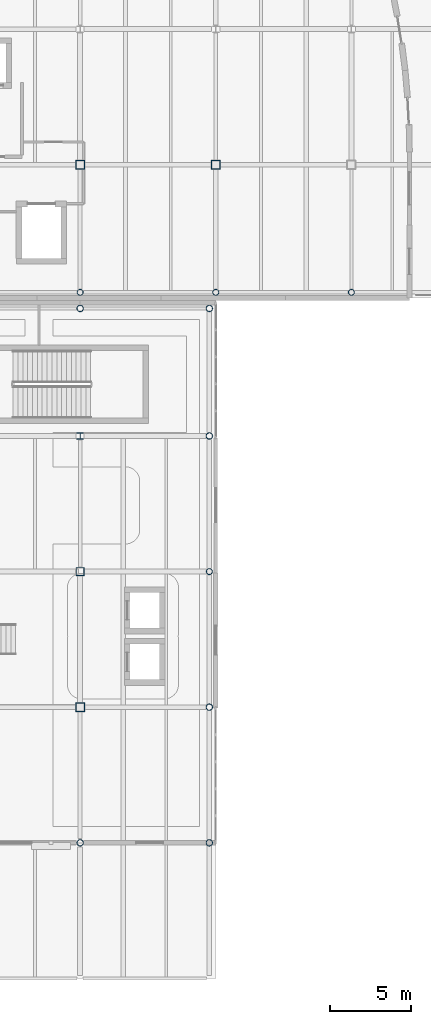
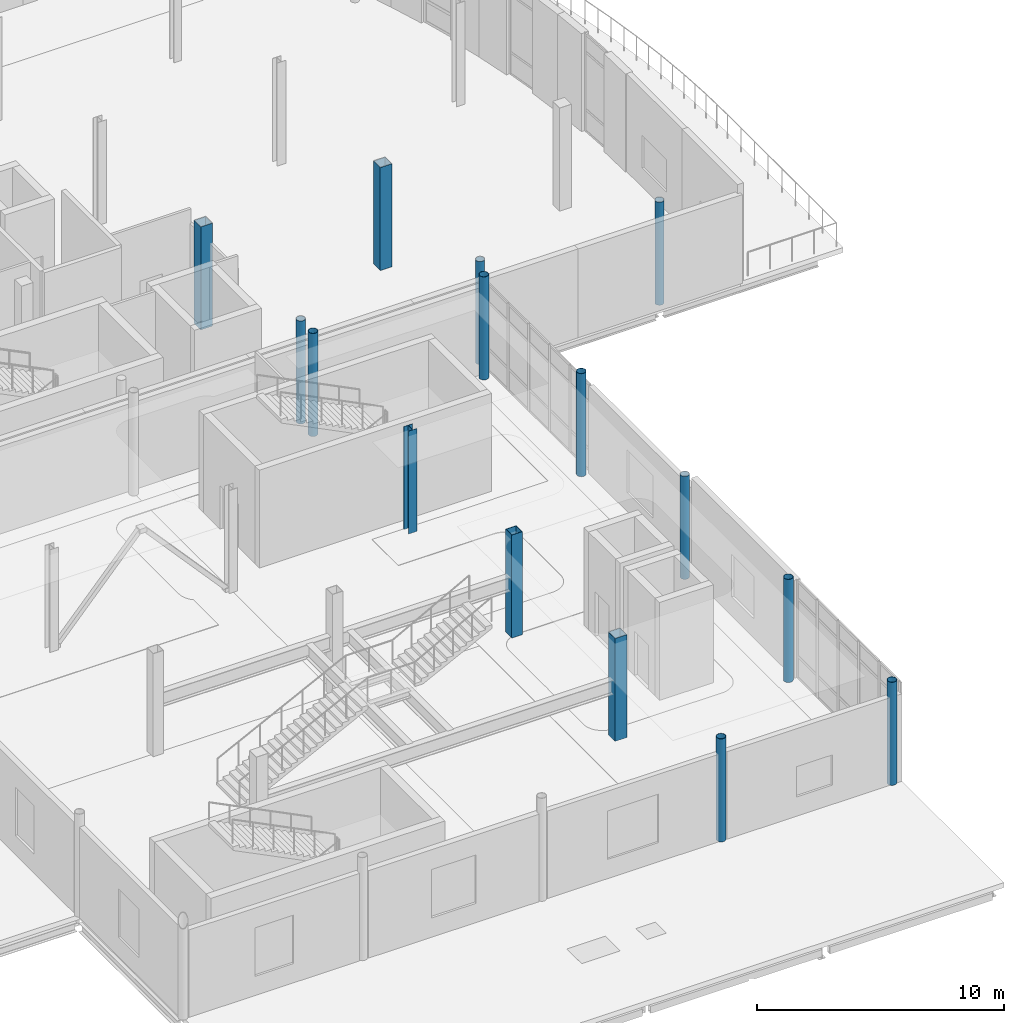
# One storey, part 10 of 103: 15 columns.
"""IFC4 building model written with IfcOpenShell, lengths in metres."""

from ifc_helpers import new_model, si_unit, direction, frame, origin, origin_2d, place, context, subcontext, project, spatial, hollow_rectangle, hollow_circle, i_section, extrude, material, material_profile, profile_set, type_object, element, save


model = new_model("IFC4")

# Units and contexts
model_context = context("Model", 3, precision=1e-05, world=origin(), true_north=direction((0.0, 1.0)))
body_context = subcontext(model_context, "Body", "Model", "MODEL_VIEW")
ifc_project = project(units=[si_unit("LENGTHUNIT", "METRE"), si_unit("AREAUNIT", "SQUARE_METRE"), si_unit("VOLUMEUNIT", "CUBIC_METRE"), si_unit("PLANEANGLEUNIT", "RADIAN"), si_unit("MASSUNIT", "GRAM", prefix="KILO"), si_unit("THERMODYNAMICTEMPERATUREUNIT", "KELVIN")], contexts=[model_context])

# Site, building, storey
site_placement = place(None, origin())
site = spatial("IfcSite", under=ifc_project, at=site_placement, CompositionType="ELEMENT")
building_placement = place(site_placement, origin())
building = spatial("IfcBuilding", under=site, at=building_placement, Name="Lustrewick Department Store", CompositionType="ELEMENT")
storey_placement = place(building_placement, frame((0.0, 0.0, 16.5)))
storey = spatial("IfcBuildingStorey", under=building, at=storey_placement, Name="L04", CompositionType="ELEMENT", Elevation=16.5)

# Columns
ifc_material_1 = material(Name="Structural steel Q355C", Category="steel")
ifc_material_profile_1 = material_profile(ifc_material_1, hollow_rectangle(XDim=0.550048828125, YDim=0.550048828125, WallThickness=0.02197265625, at=origin_2d()), Name="BOX 550x550x22")
ifc_profile_set_1 = profile_set([ifc_material_profile_1], Name="Structural steel Q355C")
column_type_1 = type_object("IfcColumnType", Name="C05", PredefinedType="COLUMN", material=ifc_profile_set_1)
for number, where, z_axis, x_axis, name in (
    (1, (142.800048828125, 25.199951171875, 0.0), (0.0, 0.0, 1.0), (1.0, 0.0, 0.0), "L04 V3 Column C05"),
    (2, (142.800048828125, 58.800048828125, 0.0), (0.0, 0.0, 1.0), (1.0, 0.0, 0.0), "L04 V4 Column C05"),
    (3, (151.199951171875, 58.800048828125, 0.0), (0.0, 0.0, 1.0), (1.0, 0.0, 0.0), "L04 V4 Column C05"),
):
    element("IfcColumn", number, at=place(storey_placement, frame(where, z_axis=z_axis, x_axis=x_axis)), inside=storey, type_object=column_type_1, Name=name, PredefinedType="COLUMN", context=body_context, shape_type="SweptSolid", body=[
        extrude(hollow_rectangle(XDim=0.550048828125, YDim=0.550048828125, WallThickness=0.02197265625, at=origin_2d()), origin(), (0.0, 0.0, 1.0), 5.10009765625),
    ])
ifc_material_2 = material(Name="Structural steel Q355B", Category="steel")
ifc_material_profile_2 = material_profile(ifc_material_2, hollow_rectangle(XDim=0.5, YDim=0.5, WallThickness=0.02001953125, at=origin_2d()), Name="BOX 500x500x20")
ifc_profile_set_2 = profile_set([ifc_material_profile_2], Name="Structural steel Q355B")
column_type_2 = type_object("IfcColumnType", Name="C06", PredefinedType="COLUMN", material=ifc_profile_set_2)
column_1_placement = place(storey_placement, frame((142.800048828125, 33.60009765625, 0.0), z_axis=(0.0, 0.0, 1.0), x_axis=(1.0, 0.0, 0.0)))
element("IfcColumn", 4, at=column_1_placement, inside=storey, type_object=column_type_2, Name="L04 V3 Column C06", PredefinedType="COLUMN", context=body_context, shape_type="SweptSolid", body=[
    extrude(hollow_rectangle(XDim=0.5, YDim=0.5, WallThickness=0.02001953125, at=origin_2d()), origin(), (0.0, 0.0, 1.0), 5.10009765625),
])
ifc_material_profile_3 = material_profile(ifc_material_2, i_section(OverallWidth=0.402099609375, OverallDepth=0.387939453125, WebThickness=0.014892578125, FlangeThickness=0.014892578125, FilletRadius=0.02197265625, at=origin_2d()), Name="HW 388x402x15x15")
ifc_profile_set_3 = profile_set([ifc_material_profile_3], Name="Structural steel Q355B")
column_type_3 = type_object("IfcColumnType", Name="C12", PredefinedType="COLUMN", material=ifc_profile_set_3)
column_2_placement = place(storey_placement, frame((142.800048828125, 42.0, 0.0), z_axis=(0.0, 0.0, 1.0), x_axis=(1.0, 0.0, 0.0)))
element("IfcColumn", 5, at=column_2_placement, inside=storey, type_object=column_type_3, Name="L04 V3 Column C12", PredefinedType="COLUMN", context=body_context, shape_type="SweptSolid", body=[
    extrude(i_section(OverallWidth=0.402099609375, OverallDepth=0.387939453125, WebThickness=0.014892578125, FlangeThickness=0.014892578125, FilletRadius=0.02197265625, at=origin_2d()), origin(), (0.0, 0.0, 1.0), 5.10009765625),
])
ifc_material_profile_4 = material_profile(ifc_material_1, hollow_circle(Radius=0.202880859375, WallThickness=0.01611328125, at=origin_2d()), Name="CHS 406x16")
ifc_profile_set_4 = profile_set([ifc_material_profile_4], Name="Structural steel Q355C")
column_type_4 = type_object("IfcColumnType", Name="CE03", PredefinedType="COLUMN", material=ifc_profile_set_4)
for number, where, z_axis, x_axis, name in (
    (6, (142.800048828125, 16.800048828125, 0.0), (0.0, 0.0, 1.0), (1.0, 0.0, 0.0), "L04 V3 Column CE03"),
    (7, (142.800048828125, 49.89990234375, 0.0), (0.0, 0.0, 1.0), (1.0, 0.0, 0.0), "L04 V3 Column CE03"),
    (8, (150.800048828125, 16.800048828125, 0.0), (0.0, 0.0, 1.0), (1.0, 0.0, 0.0), "L04 V3 Column CE03"),
    (9, (150.800048828125, 25.199951171875, 0.0), (0.0, 0.0, 1.0), (1.0, 0.0, 0.0), "L04 V3 Column CE03"),
    (10, (150.800048828125, 42.0, 0.0), (0.0, 0.0, 1.0), (1.0, 0.0, 0.0), "L04 V3 Column CE03"),
    (11, (150.800048828125, 49.89990234375, 0.0), (0.0, 0.0, 1.0), (1.0, 0.0, 0.0), "L04 V3 Column CE03"),
):
    element("IfcColumn", number, at=place(storey_placement, frame(where, z_axis=z_axis, x_axis=x_axis)), inside=storey, type_object=column_type_4, Name=name, PredefinedType="COLUMN", context=body_context, shape_type="SweptSolid", body=[
        extrude(hollow_circle(Radius=0.202880859375, WallThickness=0.01611328125, at=origin_2d()), origin(), (0.0, 0.0, 1.0), 5.10009765625),
    ])
ifc_material_profile_5 = material_profile(ifc_material_2, hollow_circle(Radius=0.1884765625, WallThickness=0.013916015625, at=origin_2d()), Name="CHS 377x14")
ifc_profile_set_5 = profile_set([ifc_material_profile_5], Name="Structural steel Q355B")
column_type_5 = type_object("IfcColumnType", Name="CE04", PredefinedType="COLUMN", material=ifc_profile_set_5)
for number, where, z_axis, x_axis, name in (
    (12, (150.800048828125, 33.60009765625, 0.0), (0.0, 0.0, 1.0), (1.0, 0.0, 0.0), "L04 V3 Column CE04"),
    (13, (142.800048828125, 50.89990234375, 0.0), (0.0, 0.0, 1.0), (1.0, 0.0, 0.0), "L04 V4 Column CE04"),
    (14, (151.199951171875, 50.89990234375, 0.0), (0.0, 0.0, 1.0), (1.0, 0.0, 0.0), "L04 V4 Column CE04"),
    (15, (159.60009765625, 50.89990234375, 0.0), (0.0, 0.0, 1.0), (1.0, 0.0, 0.0), "L04 V4 Column CE04"),
):
    element("IfcColumn", number, at=place(storey_placement, frame(where, z_axis=z_axis, x_axis=x_axis)), inside=storey, type_object=column_type_5, Name=name, PredefinedType="COLUMN", context=body_context, shape_type="SweptSolid", body=[
        extrude(hollow_circle(Radius=0.1884765625, WallThickness=0.013916015625, at=origin_2d()), origin(), (0.0, 0.0, 1.0), 5.10009765625),
    ])

save(model, "model.ifc")
